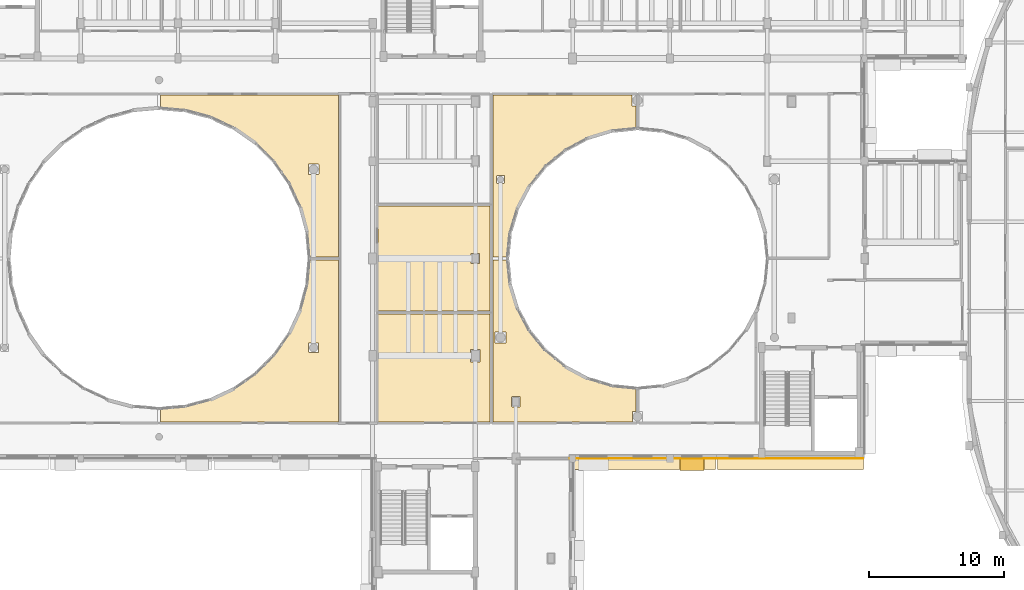
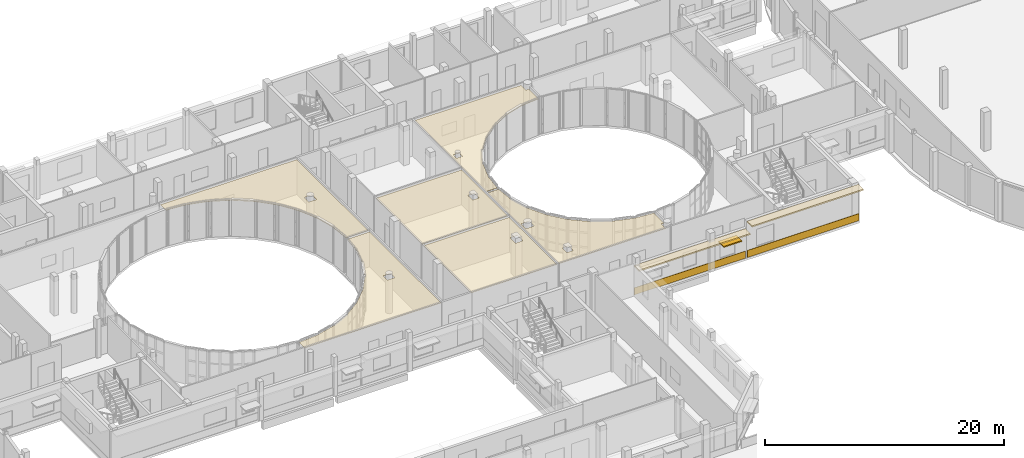
# One storey, part 95 of 105: 10 coverings, 1 shading device.
"""IFC4 building model written with IfcOpenShell, lengths in metres."""

from ifc_helpers import new_model, si_unit, direction, frame, origin, origin_2d, place, context, subcontext, project, spatial, polyline, rectangle, outline, extrude, material, layer, layer_set, type_object, element, save


model = new_model("IFC4")

# Units and contexts
model_context = context("Model", 3, precision=1e-05, world=origin(), true_north=direction((0.0, 1.0)))
body_context = subcontext(model_context, "Body", "Model", "MODEL_VIEW")
ifc_project = project(units=[si_unit("LENGTHUNIT", "METRE"), si_unit("AREAUNIT", "SQUARE_METRE"), si_unit("VOLUMEUNIT", "CUBIC_METRE"), si_unit("PLANEANGLEUNIT", "RADIAN"), si_unit("MASSUNIT", "GRAM", prefix="KILO")], contexts=[model_context])

# Site, building, storey
site_placement = place(None, origin())
site = spatial("IfcSite", under=ifc_project, at=site_placement, CompositionType="ELEMENT")
building_placement = place(site_placement, origin())
building = spatial("IfcBuilding", under=site, at=building_placement, Name="Kelanivale Promenade Academy", CompositionType="ELEMENT")
storey_placement = place(building_placement, frame((0.0, 0.0, 4.199951171875)))
storey = spatial("IfcBuildingStorey", under=building, at=storey_placement, Name="L01", CompositionType="ELEMENT", Elevation=4.199951171875)

# Coverings
ifc_material_1 = material(Name="Warm ivory Art Deco stucco frieze band 40 mm", Category="masonry")
ifc_layer_1 = layer(ifc_material_1, 0.0400390625)
ifc_layer_set_1 = layer_set([ifc_layer_1], Name="Warm ivory Art Deco stucco frieze band 40 mm")
covering_type_1 = type_object("IfcCoveringType", Name="COV-CLD2 Warm ivory Art Deco stucco frieze ba", PredefinedType="CLADDING", material=ifc_layer_set_1)
covering_1_placement = place(storey_placement, frame((99.18994140625, 41.60009765625, 2.9150390625), z_axis=(0.0, 0.0, 1.0), x_axis=(1.0, 0.0, 0.0)))
element("IfcCovering", 1, at=covering_1_placement, inside=storey, type_object=covering_type_1, Name="Art Deco projecting 820 mm streamline sunshade eyebrow ledge", PredefinedType="CLADDING", context=body_context, shape_type="SweptSolid", body=[
    extrude(rectangle(XDim=10.780029296875, YDim=0.820068359375, at=origin_2d()), origin(), (0.0, 0.0, 1.0), 0.139892578125),
])
covering_2_placement = place(storey_placement, frame((99.18994140625, 41.985107421875, 0.06005859375), z_axis=(0.0, 0.0, 1.0), x_axis=(1.0, 0.0, 0.0)))
element("IfcCovering", 2, at=covering_2_placement, inside=storey, type_object=covering_type_1, Name="Art Deco ivory stucco sill frieze band", PredefinedType="CLADDING", context=body_context, shape_type="SweptSolid", body=[
    extrude(rectangle(XDim=10.780029296875, YDim=0.0400390625, at=origin_2d()), origin(), (0.0, 0.0, 1.0), 0.719970703125),
])
covering_3_placement = place(storey_placement, frame((110.1298828125, 41.60009765625, 3.6201171875), z_axis=(0.0, 0.0, 1.0), x_axis=(1.0, 0.0, 0.0)))
element("IfcCovering", 3, at=covering_3_placement, inside=storey, type_object=covering_type_1, Name="Art Deco projecting 820 mm streamline sunshade eyebrow ledge", PredefinedType="CLADDING", context=body_context, shape_type="SweptSolid", body=[
    extrude(rectangle(XDim=10.780029296875, YDim=0.820068359375, at=origin_2d()), origin(), (0.0, 0.0, 1.0), 0.139892578125),
])
covering_4_placement = place(storey_placement, frame((110.1298828125, 41.985107421875, 0.06005859375), z_axis=(0.0, 0.0, 1.0), x_axis=(1.0, 0.0, 0.0)))
element("IfcCovering", 4, at=covering_4_placement, inside=storey, type_object=covering_type_1, Name="Art Deco ivory stucco sill frieze band", PredefinedType="CLADDING", context=body_context, shape_type="SweptSolid", body=[
    extrude(rectangle(XDim=10.780029296875, YDim=0.0400390625, at=origin_2d()), origin(), (0.0, 0.0, 1.0), 0.719970703125),
])
ifc_material_2 = material(Name="Acoustic mineral-fibre ceiling tile 25 mm", Category="gypsum")
ifc_layer_2 = layer(ifc_material_2, 0.02490234375)
ifc_layer_set_2 = layer_set([ifc_layer_2], Name="Acoustic mineral-fibre ceiling tile 25 mm")
covering_type_2 = type_object("IfcCoveringType", Name="COV-CLG1 Acoustic mineral-fibre ceiling tile ", PredefinedType="CEILING", material=ifc_layer_set_2)
covering_5_placement = place(storey_placement, frame((0.0, 0.0, 3.550048828125)))
element("IfcCovering", 5, at=covering_5_placement, inside=storey, type_object=covering_type_2, Name="Junior Classroom acoustic suspended ceiling", PredefinedType="CEILING", context=body_context, shape_type="SweptSolid", body=[
    extrude(outline(polyline([(87.889892578125, 44.7099609375), (87.889892578125, 52.68994140625), (79.610107421875, 52.68994140625), (79.610107421875, 44.7099609375), (87.889892578125, 44.7099609375)]), holes=[polyline([(87.159912109375, 49.179931640625), (87.159912109375, 49.176025390625), (87.158935546875, 49.172119140625), (87.157958984375, 49.16796875), (87.156982421875, 49.1650390625), (87.155029296875, 49.160888671875), (87.153076171875, 49.157958984375), (87.15087890625, 49.155029296875), (87.14794921875, 49.152099609375), (87.14501953125, 49.14892578125), (87.14208984375, 49.14697265625), (87.138916015625, 49.14501953125), (87.135009765625, 49.14306640625), (87.132080078125, 49.14208984375), (87.1279296875, 49.14111328125), (87.1240234375, 49.139892578125), (87.1201171875, 49.139892578125), (86.47998046875, 49.139892578125), (86.47607421875, 49.139892578125), (86.471923828125, 49.14111328125), (86.468017578125, 49.14208984375), (86.465087890625, 49.14306640625), (86.4609375, 49.14501953125), (86.4580078125, 49.14697265625), (86.455078125, 49.14892578125), (86.451904296875, 49.152099609375), (86.448974609375, 49.155029296875), (86.447021484375, 49.157958984375), (86.445068359375, 49.160888671875), (86.443115234375, 49.1650390625), (86.44189453125, 49.16796875), (86.44091796875, 49.172119140625), (86.43994140625, 49.176025390625), (86.43994140625, 49.179931640625), (86.43994140625, 50.02001953125), (86.43994140625, 50.02392578125), (86.44091796875, 50.028076171875), (86.44189453125, 50.031982421875), (86.443115234375, 50.034912109375), (86.445068359375, 50.0390625), (86.447021484375, 50.0419921875), (86.448974609375, 50.044921875), (86.451904296875, 50.048095703125), (86.455078125, 50.051025390625), (86.4580078125, 50.052978515625), (86.4609375, 50.054931640625), (86.465087890625, 50.056884765625), (86.468017578125, 50.05810546875), (86.471923828125, 50.05908203125), (86.47607421875, 50.06005859375), (86.47998046875, 50.06005859375), (87.1201171875, 50.06005859375), (87.1240234375, 50.06005859375), (87.1279296875, 50.05908203125), (87.132080078125, 50.05810546875), (87.135009765625, 50.056884765625), (87.138916015625, 50.054931640625), (87.14208984375, 50.052978515625), (87.14501953125, 50.051025390625), (87.14794921875, 50.048095703125), (87.15087890625, 50.044921875), (87.153076171875, 50.0419921875), (87.155029296875, 50.0390625), (87.156982421875, 50.034912109375), (87.157958984375, 50.031982421875), (87.158935546875, 50.028076171875), (87.159912109375, 50.02392578125), (87.159912109375, 50.02001953125), (87.159912109375, 49.179931640625)])]), origin(), (0.0, 0.0, 1.0), 0.02490234375),
])
covering_6_placement = place(storey_placement, frame((0.0, 0.0, 3.550048828125)))
element("IfcCovering", 6, at=covering_6_placement, inside=storey, type_object=covering_type_2, Name="Language Studio acoustic suspended ceiling", PredefinedType="CEILING", context=body_context, shape_type="SweptSolid", body=[
    extrude(outline(polyline([(79.610107421875, 52.909912109375), (87.889892578125, 52.909912109375), (87.889892578125, 60.68994140625), (79.610107421875, 60.68994140625), (79.610107421875, 52.909912109375)]), holes=[polyline([(87.110107421875, 56.455078125), (87.110107421875, 56.450927734375), (87.10888671875, 56.447021484375), (87.10791015625, 56.443115234375), (87.10693359375, 56.43994140625), (87.10498046875, 56.43603515625), (87.10302734375, 56.43310546875), (87.10107421875, 56.429931640625), (87.097900390625, 56.427001953125), (87.094970703125, 56.424072265625), (87.092041015625, 56.422119140625), (87.089111328125, 56.419921875), (87.0849609375, 56.41796875), (87.08203125, 56.4169921875), (87.077880859375, 56.416015625), (87.073974609375, 56.4150390625), (87.070068359375, 56.4150390625), (86.530029296875, 56.4150390625), (86.52587890625, 56.4150390625), (86.52197265625, 56.416015625), (86.51806640625, 56.4169921875), (86.514892578125, 56.41796875), (86.510986328125, 56.419921875), (86.508056640625, 56.422119140625), (86.5048828125, 56.424072265625), (86.501953125, 56.427001953125), (86.4990234375, 56.429931640625), (86.4970703125, 56.43310546875), (86.4951171875, 56.43603515625), (86.492919921875, 56.43994140625), (86.491943359375, 56.443115234375), (86.490966796875, 56.447021484375), (86.489990234375, 56.450927734375), (86.489990234375, 56.455078125), (86.489990234375, 57.14501953125), (86.489990234375, 57.14892578125), (86.490966796875, 57.153076171875), (86.491943359375, 57.156982421875), (86.492919921875, 57.159912109375), (86.4951171875, 57.1640625), (86.4970703125, 57.1669921875), (86.4990234375, 57.169921875), (86.501953125, 57.173095703125), (86.5048828125, 57.176025390625), (86.508056640625, 57.177978515625), (86.510986328125, 57.179931640625), (86.514892578125, 57.181884765625), (86.51806640625, 57.18310546875), (86.52197265625, 57.18408203125), (86.52587890625, 57.18505859375), (86.530029296875, 57.18505859375), (87.070068359375, 57.18505859375), (87.073974609375, 57.18505859375), (87.077880859375, 57.18408203125), (87.08203125, 57.18310546875), (87.0849609375, 57.181884765625), (87.089111328125, 57.179931640625), (87.092041015625, 57.177978515625), (87.094970703125, 57.176025390625), (87.097900390625, 57.173095703125), (87.10107421875, 57.169921875), (87.10302734375, 57.1669921875), (87.10498046875, 57.1640625), (87.10693359375, 57.159912109375), (87.10791015625, 57.156982421875), (87.10888671875, 57.153076171875), (87.110107421875, 57.14892578125), (87.110107421875, 57.14501953125), (87.110107421875, 56.455078125)])]), origin(), (0.0, 0.0, 1.0), 0.02490234375),
])
covering_7_placement = place(storey_placement, frame((0.0, 0.0, 3.550048828125)))
element("IfcCovering", 7, at=covering_7_placement, inside=storey, type_object=covering_type_2, Name="Language Studio Courtyard South acoustic suspended ceiling", PredefinedType="CEILING", context=body_context, shape_type="SweptSolid", body=[
    extrude(outline(polyline([(73.055908203125, 51.22607421875), (73.051025390625, 51.217041015625), (73.047119140625, 51.2099609375), (71.951904296875, 49.64599609375), (71.946044921875, 49.638916015625), (71.93896484375, 49.631103515625), (71.931884765625, 49.623046875), (71.928955078125, 49.618896484375), (70.5810546875, 48.27099609375), (70.576904296875, 48.26806640625), (70.569091796875, 48.260986328125), (70.56103515625, 48.25390625), (70.553955078125, 48.248046875), (68.989990234375, 47.153076171875), (68.98291015625, 47.14892578125), (68.97412109375, 47.14404296875), (68.965087890625, 47.138916015625), (68.9599609375, 47.136962890625), (67.22998046875, 46.3291015625), (67.22607421875, 46.326904296875), (67.216064453125, 46.322998046875), (67.208984375, 46.320068359375), (67.198974609375, 46.31689453125), (67.197021484375, 46.31689453125), (65.35400390625, 45.823974609375), (65.344970703125, 45.821044921875), (65.337890625, 45.820068359375), (65.330078125, 45.818115234375), (65.320068359375, 45.81689453125), (65.319091796875, 45.81689453125), (63.510009765625, 45.658935546875), (63.510009765625, 44.7099609375), (76.68994140625, 44.7099609375), (76.68994140625, 56.68994140625), (74.541015625, 56.68994140625), (74.383056640625, 54.881103515625), (74.383056640625, 54.8798828125), (74.382080078125, 54.8701171875), (74.3798828125, 54.862060546875), (74.37890625, 54.85498046875), (74.3759765625, 54.845947265625), (73.883056640625, 53.0029296875), (73.883056640625, 53.0009765625), (73.8798828125, 52.990966796875), (73.876953125, 52.98388671875), (73.873046875, 52.97412109375), (73.87109375, 52.969970703125), (73.06298828125, 51.239990234375), (73.06103515625, 51.235107421875), (73.055908203125, 51.22607421875)]), holes=[polyline([(75.19189453125, 49.8798828125), (75.19189453125, 49.8759765625), (75.19091796875, 49.8720703125), (75.18994140625, 49.867919921875), (75.18896484375, 49.864990234375), (75.18701171875, 49.861083984375), (75.18505859375, 49.85791015625), (75.18310546875, 49.85498046875), (75.179931640625, 49.85205078125), (75.177001953125, 49.84912109375), (75.174072265625, 49.846923828125), (75.1708984375, 49.844970703125), (75.1669921875, 49.843017578125), (75.1640625, 49.842041015625), (75.159912109375, 49.841064453125), (75.156005859375, 49.840087890625), (75.152099609375, 49.840087890625), (74.511962890625, 49.840087890625), (74.508056640625, 49.840087890625), (74.50390625, 49.841064453125), (74.5, 49.842041015625), (74.4970703125, 49.843017578125), (74.492919921875, 49.844970703125), (74.489990234375, 49.846923828125), (74.487060546875, 49.84912109375), (74.48388671875, 49.85205078125), (74.48095703125, 49.85498046875), (74.47900390625, 49.85791015625), (74.47705078125, 49.861083984375), (74.47509765625, 49.864990234375), (74.47412109375, 49.867919921875), (74.472900390625, 49.8720703125), (74.471923828125, 49.8759765625), (74.471923828125, 49.8798828125), (74.471923828125, 50.52001953125), (74.471923828125, 50.52392578125), (74.472900390625, 50.528076171875), (74.47412109375, 50.531982421875), (74.47509765625, 50.534912109375), (74.47705078125, 50.5390625), (74.47900390625, 50.5419921875), (74.48095703125, 50.544921875), (74.48388671875, 50.548095703125), (74.487060546875, 50.551025390625), (74.489990234375, 50.552978515625), (74.492919921875, 50.554931640625), (74.4970703125, 50.556884765625), (74.5, 50.55810546875), (74.50390625, 50.55908203125), (74.508056640625, 50.56005859375), (74.511962890625, 50.56005859375), (75.152099609375, 50.56005859375), (75.156005859375, 50.56005859375), (75.159912109375, 50.55908203125), (75.1640625, 50.55810546875), (75.1669921875, 50.556884765625), (75.1708984375, 50.554931640625), (75.174072265625, 50.552978515625), (75.177001953125, 50.551025390625), (75.179931640625, 50.548095703125), (75.18310546875, 50.544921875), (75.18505859375, 50.5419921875), (75.18701171875, 50.5390625), (75.18896484375, 50.534912109375), (75.18994140625, 50.531982421875), (75.19091796875, 50.528076171875), (75.19189453125, 50.52392578125), (75.19189453125, 50.52001953125), (75.19189453125, 49.8798828125)])]), origin(), (0.0, 0.0, 1.0), 0.02490234375),
])
covering_8_placement = place(storey_placement, frame((0.0, 0.0, 3.550048828125)))
element("IfcCovering", 8, at=covering_8_placement, inside=storey, type_object=covering_type_2, Name="Geography Classroom Courtyard North acoustic suspended ceiling", PredefinedType="CEILING", context=body_context, shape_type="SweptSolid", body=[
    extrude(outline(polyline([(68.9599609375, 66.462890625), (68.965087890625, 66.4609375), (68.97412109375, 66.4560546875), (68.98291015625, 66.450927734375), (68.989990234375, 66.447021484375), (70.553955078125, 65.35205078125), (70.56103515625, 65.345947265625), (70.569091796875, 65.339111328125), (70.576904296875, 65.33203125), (70.5810546875, 65.3291015625), (71.928955078125, 63.98095703125), (71.931884765625, 63.97705078125), (71.93896484375, 63.968994140625), (71.946044921875, 63.9609375), (71.951904296875, 63.9541015625), (73.047119140625, 62.389892578125), (73.051025390625, 62.383056640625), (73.055908203125, 62.3740234375), (73.06103515625, 62.364990234375), (73.06298828125, 62.360107421875), (73.87109375, 60.6298828125), (73.873046875, 60.6259765625), (73.876953125, 60.615966796875), (73.8798828125, 60.60888671875), (73.883056640625, 60.59912109375), (73.883056640625, 60.596923828125), (74.3759765625, 58.75390625), (74.37890625, 58.7451171875), (74.3798828125, 58.738037109375), (74.382080078125, 58.72998046875), (74.383056640625, 58.719970703125), (74.383056640625, 58.718994140625), (74.541015625, 56.909912109375), (76.68994140625, 56.909912109375), (76.68994140625, 68.889892578125), (63.510009765625, 68.889892578125), (63.510009765625, 67.94091796875), (65.319091796875, 67.782958984375), (65.320068359375, 67.782958984375), (65.330078125, 67.781982421875), (65.337890625, 67.780029296875), (65.344970703125, 67.779052734375), (65.35400390625, 67.77587890625), (67.197021484375, 67.282958984375), (67.198974609375, 67.282958984375), (67.208984375, 67.280029296875), (67.216064453125, 67.277099609375), (67.22607421875, 67.27294921875), (67.22998046875, 67.27099609375), (68.9599609375, 66.462890625)]), holes=[polyline([(75.217041015625, 63.054931640625), (75.217041015625, 63.051025390625), (75.216064453125, 63.047119140625), (75.215087890625, 63.04296875), (75.214111328125, 63.0400390625), (75.2119140625, 63.035888671875), (75.2099609375, 63.032958984375), (75.2080078125, 63.030029296875), (75.205078125, 63.027099609375), (75.201904296875, 63.02392578125), (75.198974609375, 63.02197265625), (75.196044921875, 63.02001953125), (75.19189453125, 63.01806640625), (75.18896484375, 63.01708984375), (75.18505859375, 63.01611328125), (75.180908203125, 63.014892578125), (75.177001953125, 63.014892578125), (74.487060546875, 63.014892578125), (74.48291015625, 63.014892578125), (74.47900390625, 63.01611328125), (74.47509765625, 63.01708984375), (74.471923828125, 63.01806640625), (74.468017578125, 63.02001953125), (74.465087890625, 63.02197265625), (74.4619140625, 63.02392578125), (74.458984375, 63.027099609375), (74.4560546875, 63.030029296875), (74.4541015625, 63.032958984375), (74.451904296875, 63.035888671875), (74.449951171875, 63.0400390625), (74.448974609375, 63.04296875), (74.447998046875, 63.047119140625), (74.447021484375, 63.051025390625), (74.447021484375, 63.054931640625), (74.447021484375, 63.7451171875), (74.447021484375, 63.7490234375), (74.447998046875, 63.7529296875), (74.448974609375, 63.757080078125), (74.449951171875, 63.760009765625), (74.451904296875, 63.763916015625), (74.4541015625, 63.76708984375), (74.4560546875, 63.77001953125), (74.458984375, 63.77294921875), (74.4619140625, 63.77587890625), (74.465087890625, 63.778076171875), (74.468017578125, 63.780029296875), (74.471923828125, 63.781982421875), (74.47509765625, 63.782958984375), (74.47900390625, 63.783935546875), (74.48291015625, 63.784912109375), (74.487060546875, 63.784912109375), (75.177001953125, 63.784912109375), (75.180908203125, 63.784912109375), (75.18505859375, 63.783935546875), (75.18896484375, 63.782958984375), (75.19189453125, 63.781982421875), (75.196044921875, 63.780029296875), (75.198974609375, 63.778076171875), (75.201904296875, 63.77587890625), (75.205078125, 63.77294921875), (75.2080078125, 63.77001953125), (75.2099609375, 63.76708984375), (75.2119140625, 63.763916015625), (75.214111328125, 63.760009765625), (75.215087890625, 63.757080078125), (75.216064453125, 63.7529296875), (75.217041015625, 63.7490234375), (75.217041015625, 63.7451171875), (75.217041015625, 63.054931640625)])]), origin(), (0.0, 0.0, 1.0), 0.02490234375),
])
covering_9_placement = place(storey_placement, frame((0.0, 0.0, 3.550048828125)))
element("IfcCovering", 9, at=covering_9_placement, inside=storey, type_object=covering_type_2, Name="Junior Classroom Courtyard East-South acoustic suspended ceiling", PredefinedType="CEILING", context=body_context, shape_type="SweptSolid", body=[
    extrude(outline(polyline([(88.110107421875, 44.7099609375), (98.68994140625, 44.7099609375), (98.68994140625, 44.715087890625), (98.455078125, 44.715087890625), (98.450927734375, 44.715087890625), (98.447021484375, 44.716064453125), (98.443115234375, 44.717041015625), (98.43994140625, 44.718017578125), (98.43603515625, 44.719970703125), (98.43310546875, 44.721923828125), (98.429931640625, 44.72412109375), (98.427001953125, 44.72705078125), (98.424072265625, 44.72998046875), (98.422119140625, 44.73291015625), (98.419921875, 44.736083984375), (98.41796875, 44.739990234375), (98.4169921875, 44.742919921875), (98.416015625, 44.7470703125), (98.4150390625, 44.7509765625), (98.4150390625, 44.7548828125), (98.4150390625, 45.445068359375), (98.4150390625, 45.448974609375), (98.416015625, 45.452880859375), (98.4169921875, 45.45703125), (98.41796875, 45.4599609375), (98.419921875, 45.464111328125), (98.422119140625, 45.467041015625), (98.424072265625, 45.469970703125), (98.427001953125, 45.472900390625), (98.429931640625, 45.47607421875), (98.43310546875, 45.47802734375), (98.43603515625, 45.47998046875), (98.43994140625, 45.48193359375), (98.443115234375, 45.48291015625), (98.447021484375, 45.48388671875), (98.450927734375, 45.485107421875), (98.455078125, 45.485107421875), (98.68994140625, 45.485107421875), (98.68994140625, 47.160888671875), (96.93701171875, 47.3330078125), (96.931884765625, 47.333984375), (96.919921875, 47.3359375), (96.9189453125, 47.3359375), (96.907958984375, 47.337890625), (96.89892578125, 47.340087890625), (95.1259765625, 47.8779296875), (95.1220703125, 47.8798828125), (95.111083984375, 47.884033203125), (95.10205078125, 47.886962890625), (95.092041015625, 47.89208984375), (95.090087890625, 47.89306640625), (93.455078125, 48.76611328125), (93.451904296875, 48.76806640625), (93.44189453125, 48.77392578125), (93.43408203125, 48.780029296875), (93.425048828125, 48.787109375), (93.423095703125, 48.7880859375), (91.989990234375, 49.962890625), (91.98388671875, 49.968017578125), (91.97607421875, 49.97607421875), (91.968017578125, 49.98388671875), (91.962890625, 49.989990234375), (90.7880859375, 51.423095703125), (90.787109375, 51.425048828125), (90.780029296875, 51.43408203125), (90.77392578125, 51.44189453125), (90.76806640625, 51.451904296875), (90.76611328125, 51.455078125), (89.89306640625, 53.090087890625), (89.89208984375, 53.092041015625), (89.886962890625, 53.10205078125), (89.884033203125, 53.111083984375), (89.8798828125, 53.1220703125), (89.8779296875, 53.1259765625), (89.340087890625, 54.89892578125), (89.337890625, 54.907958984375), (89.3359375, 54.9189453125), (89.3359375, 54.919921875), (89.333984375, 54.931884765625), (89.3330078125, 54.93701171875), (89.160888671875, 56.68994140625), (88.110107421875, 56.68994140625), (88.110107421875, 44.7099609375)]), holes=[polyline([(90.110107421875, 45.85498046875), (90.110107421875, 45.85107421875), (90.10888671875, 45.846923828125), (90.10791015625, 45.843017578125), (90.10693359375, 45.840087890625), (90.10498046875, 45.8359375), (90.10302734375, 45.8330078125), (90.10107421875, 45.830078125), (90.097900390625, 45.826904296875), (90.094970703125, 45.823974609375), (90.092041015625, 45.822021484375), (90.089111328125, 45.820068359375), (90.0849609375, 45.818115234375), (90.08203125, 45.81689453125), (90.077880859375, 45.81591796875), (90.073974609375, 45.81494140625), (90.070068359375, 45.81494140625), (89.530029296875, 45.81494140625), (89.52587890625, 45.81494140625), (89.52197265625, 45.81591796875), (89.51806640625, 45.81689453125), (89.514892578125, 45.818115234375), (89.510986328125, 45.820068359375), (89.508056640625, 45.822021484375), (89.5048828125, 45.823974609375), (89.501953125, 45.826904296875), (89.4990234375, 45.830078125), (89.4970703125, 45.8330078125), (89.4951171875, 45.8359375), (89.492919921875, 45.840087890625), (89.491943359375, 45.843017578125), (89.490966796875, 45.846923828125), (89.489990234375, 45.85107421875), (89.489990234375, 45.85498046875), (89.489990234375, 46.544921875), (89.489990234375, 46.549072265625), (89.490966796875, 46.552978515625), (89.491943359375, 46.556884765625), (89.492919921875, 46.56005859375), (89.4951171875, 46.56396484375), (89.4970703125, 46.56689453125), (89.4990234375, 46.570068359375), (89.501953125, 46.572998046875), (89.5048828125, 46.575927734375), (89.508056640625, 46.577880859375), (89.510986328125, 46.580078125), (89.514892578125, 46.58203125), (89.51806640625, 46.5830078125), (89.52197265625, 46.583984375), (89.52587890625, 46.5849609375), (89.530029296875, 46.5849609375), (90.070068359375, 46.5849609375), (90.073974609375, 46.5849609375), (90.077880859375, 46.583984375), (90.08203125, 46.5830078125), (90.0849609375, 46.58203125), (90.089111328125, 46.580078125), (90.092041015625, 46.577880859375), (90.094970703125, 46.575927734375), (90.097900390625, 46.572998046875), (90.10107421875, 46.570068359375), (90.10302734375, 46.56689453125), (90.10498046875, 46.56396484375), (90.10693359375, 46.56005859375), (90.10791015625, 46.556884765625), (90.10888671875, 46.552978515625), (90.110107421875, 46.549072265625), (90.110107421875, 46.544921875), (90.110107421875, 45.85498046875)]), polyline([(89.0380859375, 51.360107421875), (89.0419921875, 51.360107421875), (89.0458984375, 51.35888671875), (89.050048828125, 51.35791015625), (89.052978515625, 51.35693359375), (89.056884765625, 51.35498046875), (89.06005859375, 51.35302734375), (89.06298828125, 51.35107421875), (89.06591796875, 51.347900390625), (89.069091796875, 51.344970703125), (89.071044921875, 51.342041015625), (89.072998046875, 51.339111328125), (89.074951171875, 51.3349609375), (89.075927734375, 51.33203125), (89.076904296875, 51.327880859375), (89.077880859375, 51.323974609375), (89.077880859375, 51.320068359375), (89.077880859375, 50.580078125), (89.077880859375, 50.575927734375), (89.076904296875, 50.572021484375), (89.075927734375, 50.568115234375), (89.074951171875, 50.56494140625), (89.072998046875, 50.56103515625), (89.071044921875, 50.55810546875), (89.069091796875, 50.554931640625), (89.06591796875, 50.552001953125), (89.06298828125, 50.549072265625), (89.06005859375, 50.547119140625), (89.056884765625, 50.544921875), (89.052978515625, 50.54296875), (89.050048828125, 50.5419921875), (89.0458984375, 50.541015625), (89.0419921875, 50.5400390625), (89.0380859375, 50.5400390625), (88.298095703125, 50.5400390625), (88.2939453125, 50.5400390625), (88.2900390625, 50.541015625), (88.285888671875, 50.5419921875), (88.282958984375, 50.54296875), (88.279052734375, 50.544921875), (88.27587890625, 50.547119140625), (88.27294921875, 50.549072265625), (88.27001953125, 50.552001953125), (88.26708984375, 50.554931640625), (88.264892578125, 50.55810546875), (88.262939453125, 50.56103515625), (88.260986328125, 50.56494140625), (88.260009765625, 50.568115234375), (88.259033203125, 50.572021484375), (88.258056640625, 50.575927734375), (88.258056640625, 50.580078125), (88.258056640625, 51.320068359375), (88.258056640625, 51.323974609375), (88.259033203125, 51.327880859375), (88.260009765625, 51.33203125), (88.260986328125, 51.3349609375), (88.262939453125, 51.339111328125), (88.264892578125, 51.342041015625), (88.26708984375, 51.344970703125), (88.27001953125, 51.347900390625), (88.27294921875, 51.35107421875), (88.27587890625, 51.35302734375), (88.279052734375, 51.35498046875), (88.282958984375, 51.35693359375), (88.285888671875, 51.35791015625), (88.2900390625, 51.35888671875), (88.2939453125, 51.360107421875), (88.298095703125, 51.360107421875), (89.0380859375, 51.360107421875)])]), origin(), (0.0, 0.0, 1.0), 0.02490234375),
])
covering_10_placement = place(storey_placement, frame((0.0, 0.0, 3.550048828125)))
element("IfcCovering", 10, at=covering_10_placement, inside=storey, type_object=covering_type_2, Name="Language Studio Courtyard East-North acoustic suspended ceiling", PredefinedType="CEILING", context=body_context, shape_type="SweptSolid", body=[
    extrude(outline(polyline([(88.110107421875, 68.889892578125), (88.110107421875, 56.909912109375), (89.160888671875, 56.909912109375), (89.3330078125, 58.6630859375), (89.333984375, 58.66796875), (89.3359375, 58.679931640625), (89.3359375, 58.680908203125), (89.337890625, 58.69189453125), (89.340087890625, 58.700927734375), (89.8779296875, 60.47412109375), (89.8798828125, 60.47802734375), (89.884033203125, 60.489013671875), (89.886962890625, 60.498046875), (89.89208984375, 60.508056640625), (89.89306640625, 60.510009765625), (90.76611328125, 62.14501953125), (90.76806640625, 62.14794921875), (90.77392578125, 62.157958984375), (90.780029296875, 62.166015625), (90.787109375, 62.175048828125), (90.7880859375, 62.177001953125), (91.962890625, 63.610107421875), (91.968017578125, 63.615966796875), (91.98388671875, 63.632080078125), (91.989990234375, 63.636962890625), (93.423095703125, 64.81201171875), (93.425048828125, 64.81298828125), (93.43408203125, 64.820068359375), (93.44189453125, 64.825927734375), (93.451904296875, 64.83203125), (93.455078125, 64.833984375), (95.090087890625, 65.70703125), (95.092041015625, 65.7080078125), (95.10205078125, 65.712890625), (95.111083984375, 65.716064453125), (95.1220703125, 65.719970703125), (95.1259765625, 65.721923828125), (96.89892578125, 66.260009765625), (96.907958984375, 66.261962890625), (96.9189453125, 66.263916015625), (96.919921875, 66.263916015625), (96.931884765625, 66.26611328125), (96.93701171875, 66.26708984375), (98.68994140625, 66.43896484375), (98.68994140625, 68.090087890625), (98.429931640625, 68.090087890625), (98.426025390625, 68.090087890625), (98.422119140625, 68.091064453125), (98.41796875, 68.092041015625), (98.4150390625, 68.093017578125), (98.410888671875, 68.094970703125), (98.407958984375, 68.096923828125), (98.405029296875, 68.09912109375), (98.402099609375, 68.10205078125), (98.39892578125, 68.10498046875), (98.39697265625, 68.10791015625), (98.39501953125, 68.111083984375), (98.39306640625, 68.114990234375), (98.39208984375, 68.117919921875), (98.39111328125, 68.1220703125), (98.389892578125, 68.1259765625), (98.389892578125, 68.1298828125), (98.389892578125, 68.8701171875), (98.389892578125, 68.8740234375), (98.39111328125, 68.8779296875), (98.39208984375, 68.882080078125), (98.39306640625, 68.885009765625), (98.39501953125, 68.888916015625), (98.39501953125, 68.889892578125), (88.110107421875, 68.889892578125)]), holes=[polyline([(88.9130859375, 62.93505859375), (88.9169921875, 62.93505859375), (88.9208984375, 62.93408203125), (88.925048828125, 62.93310546875), (88.927978515625, 62.931884765625), (88.931884765625, 62.929931640625), (88.93505859375, 62.927978515625), (88.93798828125, 62.926025390625), (88.94091796875, 62.923095703125), (88.944091796875, 62.919921875), (88.946044921875, 62.9169921875), (88.947998046875, 62.9140625), (88.949951171875, 62.909912109375), (88.950927734375, 62.906982421875), (88.951904296875, 62.903076171875), (88.952880859375, 62.89892578125), (88.952880859375, 62.89501953125), (88.952880859375, 62.405029296875), (88.952880859375, 62.40087890625), (88.951904296875, 62.39697265625), (88.950927734375, 62.39306640625), (88.949951171875, 62.389892578125), (88.947998046875, 62.385986328125), (88.946044921875, 62.383056640625), (88.944091796875, 62.3798828125), (88.94091796875, 62.376953125), (88.93798828125, 62.3740234375), (88.93505859375, 62.3720703125), (88.931884765625, 62.3701171875), (88.927978515625, 62.367919921875), (88.925048828125, 62.366943359375), (88.9208984375, 62.365966796875), (88.9169921875, 62.364990234375), (88.9130859375, 62.364990234375), (88.423095703125, 62.364990234375), (88.4189453125, 62.364990234375), (88.4150390625, 62.365966796875), (88.410888671875, 62.366943359375), (88.407958984375, 62.367919921875), (88.404052734375, 62.3701171875), (88.40087890625, 62.3720703125), (88.39794921875, 62.3740234375), (88.39501953125, 62.376953125), (88.39208984375, 62.3798828125), (88.389892578125, 62.383056640625), (88.387939453125, 62.385986328125), (88.385986328125, 62.389892578125), (88.385009765625, 62.39306640625), (88.384033203125, 62.39697265625), (88.383056640625, 62.40087890625), (88.383056640625, 62.405029296875), (88.383056640625, 62.89501953125), (88.383056640625, 62.89892578125), (88.384033203125, 62.903076171875), (88.385009765625, 62.906982421875), (88.385986328125, 62.909912109375), (88.387939453125, 62.9140625), (88.389892578125, 62.9169921875), (88.39208984375, 62.919921875), (88.39501953125, 62.923095703125), (88.39794921875, 62.926025390625), (88.40087890625, 62.927978515625), (88.404052734375, 62.929931640625), (88.407958984375, 62.931884765625), (88.410888671875, 62.93310546875), (88.4150390625, 62.93408203125), (88.4189453125, 62.93505859375), (88.423095703125, 62.93505859375), (88.9130859375, 62.93505859375)])]), origin(), (0.0, 0.0, 1.0), 0.02490234375),
])

# Shading device
ifc_material_3 = material(Name="Precast concrete C40/50", Category="concrete")
ifc_layer_3 = layer(ifc_material_3, 0.1201171875)
ifc_layer_set_3 = layer_set([ifc_layer_3], Name="Precast concrete C40/50")
shading_device_type = type_object("IfcShadingDeviceType", Name="SHD-01 Art Deco Sunshade Eyebrow 900mm", PredefinedType="USERDEFINED", material=ifc_layer_set_3)
shading_device_placement = place(storey_placement, frame((102.8369140625, 41.56005859375, 2.56005859375), z_axis=(0.0, 0.0, 1.0), x_axis=(1.0, 0.0, 0.0)))
element("IfcShadingDevice", 11, at=shading_device_placement, inside=storey, type_object=shading_device_type, Name="Art Deco 900 mm precast chajja window sunshade", ObjectType="SUNSHADE", PredefinedType="USERDEFINED", context=body_context, shape_type="SweptSolid", body=[
    extrude(rectangle(XDim=1.75, YDim=0.89990234375, at=origin_2d()), origin(), (0.0, 0.0, 1.0), 0.1201171875),
])

save(model, "model.ifc")
